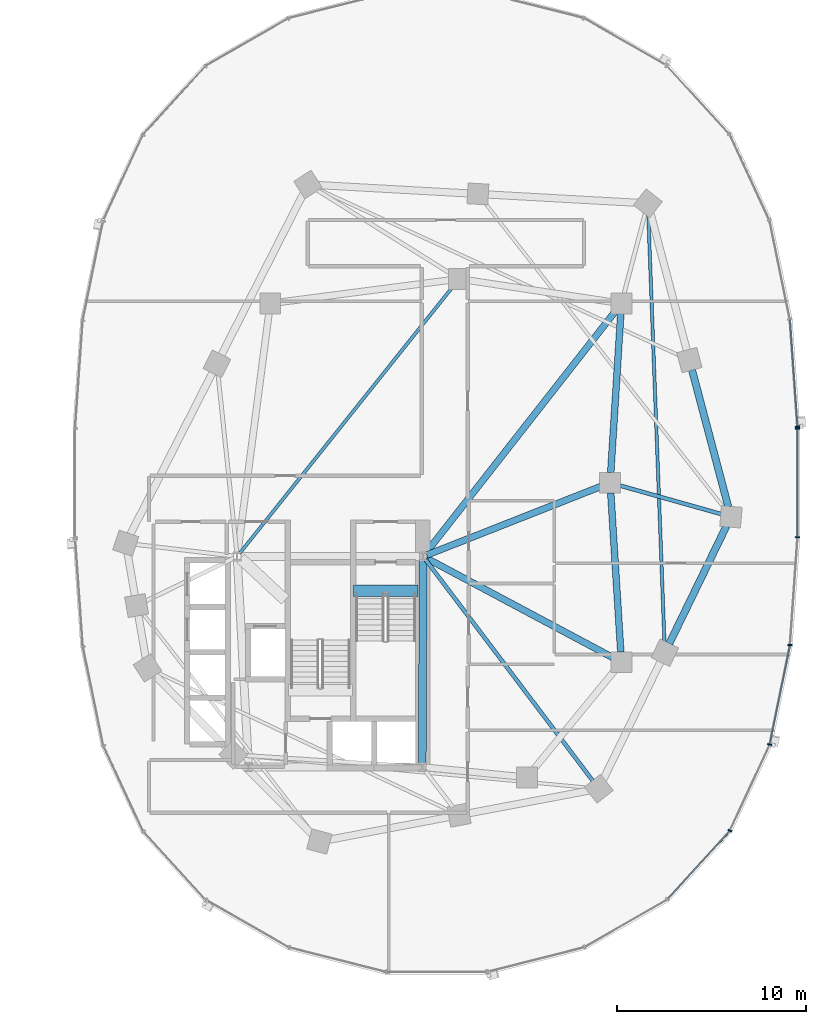
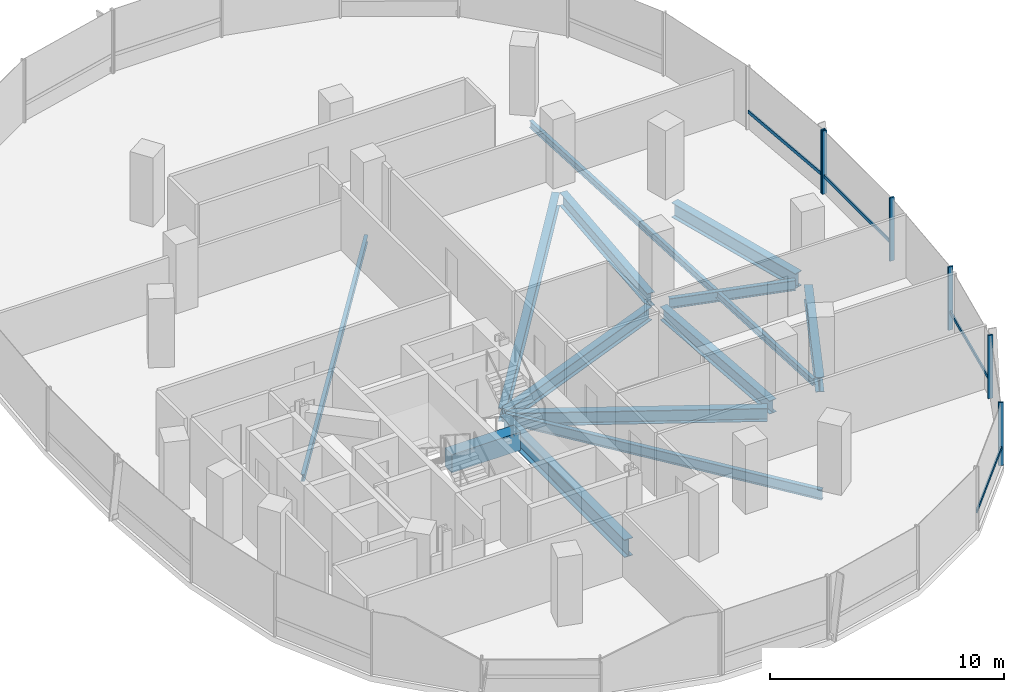
# One storey, part 6 of 21: 13 beams, 10 members, 2 elements without a shape of their own.
"""IFC4 building model written with IfcOpenShell, lengths in metres."""

from ifc_helpers import new_model, si_unit, direction, frame, origin, origin_2d, place, context, subcontext, project, spatial, rectangle, i_section, extrude, material, material_profile, profile_set, type_object, element, aggregate, save


model = new_model("IFC4")

# Units and contexts
model_context = context("Model", 3, precision=1e-05, world=origin(), true_north=direction((0.0, 1.0)))
body_context = subcontext(model_context, "Body", "Model", "MODEL_VIEW")
ifc_project = project(units=[si_unit("LENGTHUNIT", "METRE"), si_unit("AREAUNIT", "SQUARE_METRE"), si_unit("VOLUMEUNIT", "CUBIC_METRE"), si_unit("PLANEANGLEUNIT", "RADIAN"), si_unit("MASSUNIT", "GRAM", prefix="KILO"), si_unit("THERMODYNAMICTEMPERATUREUNIT", "KELVIN"), si_unit("POWERUNIT", "WATT")], contexts=[model_context])

# Site, building, storey
site_placement = place(None, origin())
site = spatial("IfcSite", under=ifc_project, at=site_placement, CompositionType="ELEMENT")
building_placement = place(site_placement, origin())
building = spatial("IfcBuilding", under=site, at=building_placement, Name="Cundina Bronze Exchange", CompositionType="ELEMENT")
storey_placement = place(building_placement, frame((0.0, 0.0, 96.199951171875)))
storey = spatial("IfcBuildingStorey", under=building, at=storey_placement, Name="L24", CompositionType="ELEMENT", Elevation=96.199951171875)

# Beams
ifc_material_1 = material(Name="Concrete C60/75", Category="concrete")
ifc_material_profile_1 = material_profile(ifc_material_1, rectangle(XDim=0.60009765625, YDim=0.949951171875, at=origin_2d()), Name="RC600X950", Category="concrete")
ifc_profile_set_1 = profile_set([ifc_material_profile_1], Name="Concrete C60/75")
beam_type_1 = type_object("IfcBeamType", Name="BM-COUP-RC950", PredefinedType="LINTEL", material=ifc_profile_set_1)
beam_1_placement = place(storey_placement, frame((27.6201171875, -5.719970703125, -0.474853515625), z_axis=(1.0, 0.0, 0.0), x_axis=(0.0, 1.0, 0.0)))
element("IfcBeam", 1, at=beam_1_placement, inside=storey, type_object=beam_type_1, Name="L24 Stair E1 Landing Header Beam", PredefinedType="LINTEL", context=body_context, shape_type="SweptSolid", body=[
    extrude(rectangle(XDim=0.60009765625, YDim=0.949951171875, at=origin_2d()), origin(), (0.0, 0.0, 1.0), 3.39990234375),
])
ifc_material_2 = material(Name="Steel ASTM A992 Grade 50", Category="steel")
ifc_material_profile_2 = material_profile(ifc_material_2, i_section(OverallWidth=0.2099609375, OverallDepth=0.532958984375, WebThickness=0.01025390625, FlangeThickness=0.015625, FilletRadius=0.013916015625, at=origin_2d()), Name="W21X62", Category="steel")
ifc_profile_set_2 = profile_set([ifc_material_profile_2], Name="Steel ASTM A992 Grade 50")
beam_type_2 = type_object("IfcBeamType", Name="BM-FLR-W21B", PredefinedType="BEAM", material=ifc_profile_set_2)
beam_2_placement = place(storey_placement, frame((31.423095703125, -4.062744140625, -0.56640625), z_axis=(0.603095885041, -0.797668699052, 0.0), x_axis=(0.797668699052, 0.603095885041, 0.0)))
element("IfcBeam", 2, at=beam_2_placement, inside=storey, type_object=beam_type_2, Name="L24 Leg E Chordal Floor Beam 06", PredefinedType="BEAM", context=body_context, shape_type="SweptSolid", body=[
    extrude(i_section(OverallWidth=0.2099609375, OverallDepth=0.532958984375, WebThickness=0.01025390625, FlangeThickness=0.015625, FilletRadius=0.013916015625, at=origin_2d()), origin(), (0.0, 0.0, 1.0), 14.677978515625),
])
beam_3_placement = place(storey_placement, frame((41.718017578125, -0.145751953125, -0.56640625), z_axis=(0.962654865541, -0.270731619598, 0.0), x_axis=(0.270731619598, 0.962654865541, 0.0)))
element("IfcBeam", 3, at=beam_3_placement, inside=storey, type_object=beam_type_2, Name="L24 Leg E Chordal Floor Beam 08", PredefinedType="BEAM", context=body_context, shape_type="SweptSolid", body=[
    extrude(i_section(OverallWidth=0.2099609375, OverallDepth=0.532958984375, WebThickness=0.01025390625, FlangeThickness=0.015625, FilletRadius=0.013916015625, at=origin_2d()), origin(), (0.0, 0.0, 1.0), 5.572021484375),
])
ifc_material_profile_3 = material_profile(ifc_material_2, i_section(OverallWidth=0.172119140625, OverallDepth=0.35791015625, WebThickness=0.0078125, FlangeThickness=0.01318359375, FilletRadius=0.010009765625, at=origin_2d()), Name="W14X38", Category="steel")
ifc_profile_set_3 = profile_set([ifc_material_profile_3], Name="Steel ASTM A992 Grade 50")
beam_type_3 = type_object("IfcBeamType", Name="BM-JST-W14", PredefinedType="JOIST", material=ifc_profile_set_3)
beam_4_placement = place(storey_placement, frame((21.577392578125, -3.740478515625, -0.47900390625), z_axis=(0.62436887964, 0.781129632095, 0.0), x_axis=(-0.781129632095, 0.62436887964, 0.0)))
element("IfcBeam", 4, at=beam_4_placement, inside=storey, type_object=beam_type_3, Name="L24 E Interior Core-to-Ring Joist 2", PredefinedType="JOIST", context=body_context, shape_type="SweptSolid", body=[
    extrude(i_section(OverallWidth=0.172119140625, OverallDepth=0.35791015625, WebThickness=0.0078125, FlangeThickness=0.01318359375, FilletRadius=0.010009765625, at=origin_2d()), origin(), (0.0, 0.0, 1.0), 18.076904296875),
])
beam_5_placement = place(storey_placement, frame((44.07958984375, -8.46240234375, -0.47900390625), z_axis=(-0.03778951385, 0.999285721224, 0.0), x_axis=(-0.999285721224, -0.03778951385, 0.0)))
element("IfcBeam", 5, at=beam_5_placement, inside=storey, type_object=beam_type_3, Name="L24 Leg E Lobe Floor Joist 07-10", PredefinedType="JOIST", context=body_context, shape_type="SweptSolid", body=[
    extrude(i_section(OverallWidth=0.172119140625, OverallDepth=0.35791015625, WebThickness=0.0078125, FlangeThickness=0.01318359375, FilletRadius=0.010009765625, at=origin_2d()), origin(), (0.0, 0.0, 1.0), 22.7412109375),
])
ifc_material_profile_4 = material_profile(ifc_material_2, i_section(OverallWidth=0.35498046875, OverallDepth=0.695068359375, WebThickness=0.015380859375, FlangeThickness=0.02490234375, FilletRadius=0.01806640625, at=origin_2d()), Name="W27X146", Category="steel")
ifc_profile_set_4 = profile_set([ifc_material_profile_4], Name="Steel ASTM A992 Grade 50")
beam_type_4 = type_object("IfcBeamType", Name="BM-RING-W27", PredefinedType="USERDEFINED", material=ifc_profile_set_4)
for number, where, z_axis, x_axis, name in (
    (6, (41.76611328125, -8.963134765625, -0.6474609375), (-0.06303715519, 0.998011180832, 0.0), (-0.998011180832, -0.06303715519, 0.0), "L24 E Inner Structural Ring Girder 03"),
    (7, (41.23388671875, 0.536865234375, -0.6474609375), (0.06303715519, 0.998011180832, 0.0), (-0.998011180832, 0.06303715519, 0.0), "L24 E Inner Structural Ring Girder 04"),
):
    element("IfcBeam", number, at=place(storey_placement, frame(where, z_axis=z_axis, x_axis=x_axis)), inside=storey, type_object=beam_type_4, Name=name, ObjectType="GIRDER", PredefinedType="USERDEFINED", context=body_context, shape_type="SweptSolid", body=[
        extrude(i_section(OverallWidth=0.35498046875, OverallDepth=0.695068359375, WebThickness=0.015380859375, FlangeThickness=0.02490234375, FilletRadius=0.01806640625, at=origin_2d()), origin(), (0.0, 0.0, 1.0), 8.443115234375),
    ])
beam_6_placement = place(storey_placement, frame((31.48974609375, -3.8251953125, -0.6474609375), z_axis=(0.930413235418, 0.366512225388, 0.0), x_axis=(-0.366512225388, 0.930413235418, 0.0)))
element("IfcBeam", 8, at=beam_6_placement, inside=storey, type_object=beam_type_4, Name="L24 E Core-to-Waist Tie Beam 1", ObjectType="GIRDER", PredefinedType="USERDEFINED", context=body_context, shape_type="SweptSolid", body=[
    extrude(i_section(OverallWidth=0.35498046875, OverallDepth=0.695068359375, WebThickness=0.015380859375, FlangeThickness=0.02490234375, FilletRadius=0.01806640625, at=origin_2d()), origin(), (0.0, 0.0, 1.0), 9.8984375),
])
beam_7_placement = place(storey_placement, frame((31.47998046875, -3.99609375, -0.6474609375), z_axis=(0.882354758239, -0.470584828286, 0.0), x_axis=(0.470584828286, 0.882354758239, 0.0)))
element("IfcBeam", 9, at=beam_7_placement, inside=storey, type_object=beam_type_4, Name="L24 E Core-to-Waist Tie Beam 2", ObjectType="GIRDER", PredefinedType="USERDEFINED", context=body_context, shape_type="SweptSolid", body=[
    extrude(i_section(OverallWidth=0.35498046875, OverallDepth=0.695068359375, WebThickness=0.015380859375, FlangeThickness=0.02490234375, FilletRadius=0.01806640625, at=origin_2d()), origin(), (0.0, 0.0, 1.0), 11.157958984375),
])
beam_8_placement = place(storey_placement, frame((31.42578125, -3.739501953125, -0.6474609375), z_axis=(0.616789275748, 0.787128318206, 0.0), x_axis=(-0.787128318206, 0.616789275748, 0.0)))
element("IfcBeam", 10, at=beam_8_placement, inside=storey, type_object=beam_type_4, Name="L24 E Core-to-Waist Tie Beam 3", ObjectType="GIRDER", PredefinedType="USERDEFINED", context=body_context, shape_type="SweptSolid", body=[
    extrude(i_section(OverallWidth=0.35498046875, OverallDepth=0.695068359375, WebThickness=0.015380859375, FlangeThickness=0.02490234375, FilletRadius=0.01806640625, at=origin_2d()), origin(), (0.0, 0.0, 1.0), 16.281982421875),
])
ifc_material_profile_5 = material_profile(ifc_material_2, i_section(OverallWidth=0.381103515625, OverallDepth=0.77294921875, WebThickness=0.0166015625, FlangeThickness=0.027099609375, FilletRadius=0.01904296875, at=origin_2d()), Name="W30X173", Category="steel")
ifc_profile_set_5 = profile_set([ifc_material_profile_5], Name="Steel ASTM A992 Grade 50")
beam_type_5 = type_object("IfcBeamType", Name="BM-RING-W30", PredefinedType="USERDEFINED", material=ifc_profile_set_5)
beam_9_placement = place(storey_placement, frame((44.335205078125, -8.51611328125, -0.6865234375), z_axis=(0.437193894283, 0.899367276924, 0.0), x_axis=(-0.899367276924, 0.437193894283, 0.0)))
element("IfcBeam", 11, at=beam_9_placement, inside=storey, type_object=beam_type_5, Name="L24 E Perimeter Ring Girder 07", ObjectType="GIRDER", PredefinedType="USERDEFINED", context=body_context, shape_type="SweptSolid", body=[
    extrude(i_section(OverallWidth=0.381103515625, OverallDepth=0.77294921875, WebThickness=0.0166015625, FlangeThickness=0.027099609375, FilletRadius=0.01904296875, at=origin_2d()), origin(), (0.0, 0.0, 1.0), 6.929443359375),
])
beam_10_placement = place(storey_placement, frame((47.462158203125, -1.280029296875, -0.6865234375), z_axis=(-0.256209719931, 0.966621218168, 0.0), x_axis=(-0.966621218168, -0.256209719931, 0.0)))
element("IfcBeam", 12, at=beam_10_placement, inside=storey, type_object=beam_type_5, Name="L24 E Perimeter Ring Girder 08", ObjectType="GIRDER", PredefinedType="USERDEFINED", context=body_context, shape_type="SweptSolid", body=[
    extrude(i_section(OverallWidth=0.381103515625, OverallDepth=0.77294921875, WebThickness=0.0166015625, FlangeThickness=0.027099609375, FilletRadius=0.01904296875, at=origin_2d()), origin(), (0.0, 0.0, 1.0), 7.5107421875),
])
ifc_material_profile_6 = material_profile(ifc_material_2, i_section(OverallWidth=0.41796875, OverallDepth=0.927001953125, WebThickness=0.019287109375, FlangeThickness=0.031982421875, FilletRadius=0.02392578125, at=origin_2d()), Name="W36X231", Category="steel")
ifc_profile_set_6 = profile_set([ifc_material_profile_6], Name="Steel ASTM A992 Grade 50")
beam_type_6 = type_object("IfcBeamType", Name="BM-WRN-W36B", PredefinedType="USERDEFINED", material=ifc_profile_set_6)
beam_11_placement = place(storey_placement, frame((31.2509765625, -14.845947265625, -0.763427734375), z_axis=(0.004477329608, 0.99998997671, 0.0), x_axis=(-0.99998997671, 0.004477329608, 0.0)))
element("IfcBeam", 13, at=beam_11_placement, inside=storey, type_object=beam_type_6, Name="L24 E Core Perimeter Tie Girder 4", ObjectType="GIRDER", PredefinedType="USERDEFINED", context=body_context, shape_type="SweptSolid", body=[
    extrude(i_section(OverallWidth=0.41796875, OverallDepth=0.927001953125, WebThickness=0.019287109375, FlangeThickness=0.031982421875, FilletRadius=0.02392578125, at=origin_2d()), origin(), (0.0, 0.0, 1.0), 10.741943359375),
])

# Curtain wall, member
ifc_material_3 = material(Name="Anodised Bronze Aluminium 6063-T6", Category="aluminium")
curtain_wall_type = type_object("IfcCurtainWallType", Name="CWS-TRD-MID", PredefinedType="NOTDEFINED", material=ifc_material_3)
curtain_wall_1_placement = place(storey_placement, origin())
curtain_wall_1 = element("IfcCurtainWall", 14, at=curtain_wall_1_placement, inside=storey, type_object=curtain_wall_type, Name="L24 CW-03 Curtain Wall Run CWR-L24-E1", PredefinedType="NOTDEFINED")
ifc_material_profile_7 = material_profile(ifc_material_3, rectangle(XDim=0.074951171875, YDim=0.219970703125, at=origin_2d()), Name="AL75X220", Category="aluminium")
ifc_profile_set_7 = profile_set([ifc_material_profile_7], Name="Anodised Bronze Aluminium 6063-T6")
member_type_1 = type_object("IfcMemberType", Name="CWM-MUL-220", PredefinedType="MULLION", material=ifc_profile_set_7)
member_1_placement = place(storey_placement, frame((51.12451171875, 2.976318359375, 0.0), z_axis=(0.0, 0.0, 1.0), x_axis=(-0.070278787473, 0.997527389113, 0.0)))
member_1 = element("IfcMember", 15, at=member_1_placement, type_object=member_type_1, Name="CW-03 Mullion 1", PredefinedType="MULLION", context=body_context, shape_type="SweptSolid", body=[
    extrude(rectangle(XDim=0.074951171875, YDim=0.219970703125, at=origin_2d()), origin(), (0.0, 0.0, 1.0), 3.300048828125),
])

# Curtain wall, members
curtain_wall_2_placement = place(storey_placement, origin())
curtain_wall_2 = element("IfcCurtainWall", 16, at=curtain_wall_2_placement, inside=storey, type_object=curtain_wall_type, Name="L24 CW-03 Curtain Wall Run CWR-L24-E4", PredefinedType="NOTDEFINED")
member_2_placement = place(storey_placement, frame((47.544189453125, -18.423583984375, 0.0), z_axis=(0.0, 0.0, 1.0), x_axis=(0.42087749791, 0.907117485088, 0.0)))
member_2 = element("IfcMember", 17, at=member_2_placement, type_object=member_type_1, Name="CW-03 Mullion 4", PredefinedType="MULLION", context=body_context, shape_type="SweptSolid", body=[
    extrude(rectangle(XDim=0.074951171875, YDim=0.219970703125, at=origin_2d()), origin(), (0.0, 0.0, 1.0), 3.300048828125),
])
member_3_placement = place(storey_placement, frame((49.651123046875, -13.861328125, 0.0), z_axis=(0.0, 0.0, 1.0), x_axis=(0.201419845156, 0.979505000486, 0.0)))
member_3 = element("IfcMember", 18, at=member_3_placement, type_object=member_type_1, Name="CW-03 Mullion 5", PredefinedType="MULLION", context=body_context, shape_type="SweptSolid", body=[
    extrude(rectangle(XDim=0.074951171875, YDim=0.219970703125, at=origin_2d()), origin(), (0.0, 0.0, 1.0), 3.300048828125),
])
member_4_placement = place(storey_placement, frame((50.72900390625, -8.591552734375, 0.0), z_axis=(0.0, 0.0, 1.0), x_axis=(0.070278787473, 0.997527389113, 0.0)))
member_4 = element("IfcMember", 19, at=member_4_placement, type_object=member_type_1, Name="CW-03 Mullion 6", PredefinedType="MULLION", context=body_context, shape_type="SweptSolid", body=[
    extrude(rectangle(XDim=0.074951171875, YDim=0.219970703125, at=origin_2d()), origin(), (0.0, 0.0, 1.0), 3.300048828125),
])
member_5_placement = place(storey_placement, frame((51.1279296875, -2.880615234375, 0.0), z_axis=(0.0, 0.0, 1.0), x_axis=(0.0, 1.0, 0.0)))
member_5 = element("IfcMember", 20, at=member_5_placement, type_object=member_type_1, Name="CW-03 Mullion 7", PredefinedType="MULLION", context=body_context, shape_type="SweptSolid", body=[
    extrude(rectangle(XDim=0.074951171875, YDim=0.219970703125, at=origin_2d()), origin(), (0.0, 0.0, 1.0), 3.300048828125),
])
member_6_placement = place(storey_placement, frame((51.1279296875, 2.880615234375, 0.0), z_axis=(0.0, 0.0, 1.0), x_axis=(0.0, 1.0, 0.0)))
member_6 = element("IfcMember", 21, at=member_6_placement, type_object=member_type_1, Name="CW-03 End Mullion", PredefinedType="MULLION", context=body_context, shape_type="SweptSolid", body=[
    extrude(rectangle(XDim=0.074951171875, YDim=0.219970703125, at=origin_2d()), origin(), (0.0, 0.0, 1.0), 3.300048828125),
])

# Member
ifc_material_profile_8 = material_profile(ifc_material_3, rectangle(XDim=0.070068359375, YDim=0.179931640625, at=origin_2d()), Name="AL70X180", Category="aluminium")
ifc_profile_set_8 = profile_set([ifc_material_profile_8], Name="Anodised Bronze Aluminium 6063-T6")
member_type_2 = type_object("IfcMemberType", Name="CWM-TRN-180", PredefinedType="USERDEFINED", material=ifc_profile_set_8)
member_7_placement = place(storey_placement, frame((51.12158203125, 3.017333984375, 0.920166015625), z_axis=(-0.070260714471, 0.997528662246, 0.0), x_axis=(-0.997528662246, -0.070260714471, 0.0)))
member_7 = element("IfcMember", 22, at=member_7_placement, type_object=member_type_2, Name="CW-03 Spandrel Transom 1", ObjectType="TRANSOM", PredefinedType="USERDEFINED", context=body_context, shape_type="SweptSolid", body=[
    extrude(rectangle(XDim=0.070068359375, YDim=0.179931640625, at=origin_2d()), origin(), (0.0, 0.0, 1.0), 5.629150390625),
])

aggregate(curtain_wall_1, [member_1, member_7])

member_8_placement = place(storey_placement, frame((44.26708984375, -22.027099609375, 0.920166015625), z_axis=(0.674302794847, 0.738454968743, 0.0), x_axis=(-0.738454968743, 0.674302794847, 0.0)))
member_8 = element("IfcMember", 23, at=member_8_placement, type_object=member_type_2, Name="CW-03 Spandrel Transom 3", ObjectType="TRANSOM", PredefinedType="USERDEFINED", context=body_context, shape_type="SweptSolid", body=[
    extrude(rectangle(XDim=0.070068359375, YDim=0.179931640625, at=origin_2d()), origin(), (0.0, 0.0, 1.0), 4.848388671875),
])

member_9_placement = place(storey_placement, frame((49.659423828125, -13.821044921875, 0.920166015625), z_axis=(0.201427712708, 0.979503382615, 0.0), x_axis=(-0.979503382615, 0.201427712708, 0.0)))
member_9 = element("IfcMember", 24, at=member_9_placement, type_object=member_type_2, Name="CW-03 Spandrel Transom 5", ObjectType="TRANSOM", PredefinedType="USERDEFINED", context=body_context, shape_type="SweptSolid", body=[
    extrude(rectangle(XDim=0.070068359375, YDim=0.179931640625, at=origin_2d()), origin(), (0.0, 0.0, 1.0), 5.291748046875),
])

member_10_placement = place(storey_placement, frame((51.1279296875, -2.839111328125, 0.920166015625), z_axis=(0.0, 1.0, 0.0), x_axis=(-1.0, 0.0, 0.0)))
member_10 = element("IfcMember", 25, at=member_10_placement, type_object=member_type_2, Name="CW-03 Spandrel Transom 7", ObjectType="TRANSOM", PredefinedType="USERDEFINED", context=body_context, shape_type="SweptSolid", body=[
    extrude(rectangle(XDim=0.070068359375, YDim=0.179931640625, at=origin_2d()), origin(), (0.0, 0.0, 1.0), 5.67822265625),
])

aggregate(curtain_wall_2, [member_8, member_2, member_3, member_9, member_4, member_5, member_6, member_10])

save(model, "model.ifc")
